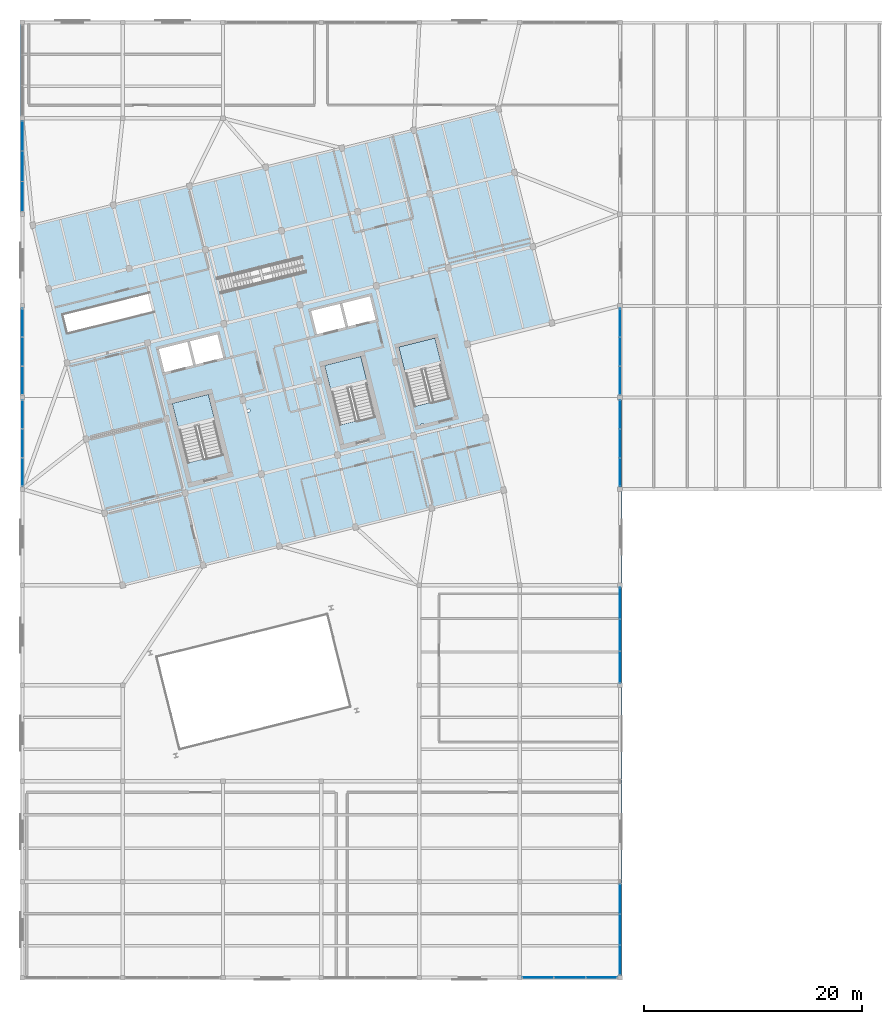
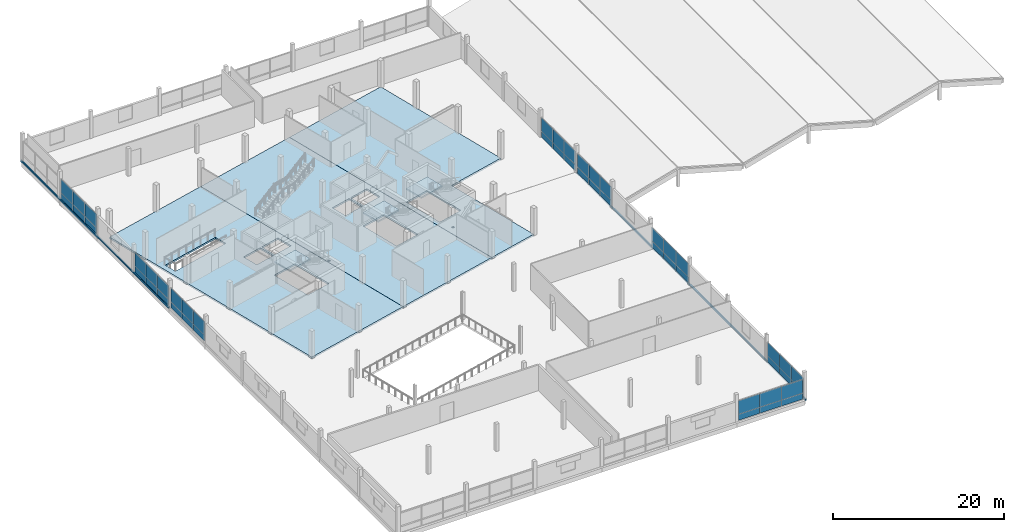
# One storey, part 39 of 47: 48 plates, 8 slabs, 11 elements without a shape of their own.
"""IFC4 building model written with IfcOpenShell, lengths in metres."""

from ifc_helpers import new_model, si_unit, direction, frame, origin, origin_2d, place, context, subcontext, project, spatial, polyline, rectangle, outline, extrude, material, layer, layer_set, type_object, element, aggregate, save


model = new_model("IFC4")

# Units and contexts
model_context = context("Model", 3, precision=1e-05, world=origin(), true_north=direction((0.0, 1.0)))
body_context = subcontext(model_context, "Body", "Model", "MODEL_VIEW")
ifc_project = project(units=[si_unit("LENGTHUNIT", "METRE"), si_unit("AREAUNIT", "SQUARE_METRE"), si_unit("VOLUMEUNIT", "CUBIC_METRE"), si_unit("PLANEANGLEUNIT", "RADIAN"), si_unit("MASSUNIT", "GRAM", prefix="KILO")], contexts=[model_context])

# Site, building, storey
site_placement = place(None, origin())
site = spatial("IfcSite", under=ifc_project, at=site_placement, CompositionType="ELEMENT")
building_placement = place(site_placement, origin())
building = spatial("IfcBuilding", under=site, at=building_placement, Name="Meriwether Solvik Hall", CompositionType="ELEMENT")
storey_placement = place(building_placement, frame((0.0, 0.0, 18.300048828125)))
storey = spatial("IfcBuildingStorey", under=building, at=storey_placement, Name="L04", CompositionType="ELEMENT", Elevation=18.300048828125)

# Curtain wall, plates
ifc_material_1 = material(Name="Thermally Broken Anodised Aluminium 6063-T6 and Low-E Glass", Category="aluminium")
ifc_layer_1 = layer(ifc_material_1, 0.179931640625)
ifc_layer_set_1 = layer_set([ifc_layer_1], Name="Thermally Broken Anodised Aluminium 6063-T6 and Low-E Glass")
curtain_wall_type = type_object("IfcCurtainWallType", Name="CW-UNIT-E", PredefinedType="USERDEFINED", material=ifc_layer_set_1)
curtain_wall_1_placement = place(storey_placement, origin())
curtain_wall_1 = element("IfcCurtainWall", 1, at=curtain_wall_1_placement, inside=storey, type_object=curtain_wall_type, Name="Curtain Wall wing_XA_12_5 (L04)", ObjectType="UNITISED CURTAIN WALL", PredefinedType="USERDEFINED")
ifc_material_2 = material(Name="Low-Emissivity Double-Glazed Laminated Glass", Category="glass")
ifc_layer_2 = layer(ifc_material_2, 0.031982421875)
ifc_layer_set_2 = layer_set([ifc_layer_2], Name="Low-Emissivity Double-Glazed Laminated Glass")
plate_type_1 = type_object("IfcPlateType", Name="PLT-GLZ-225X195", PredefinedType="CURTAIN_PANEL", material=ifc_layer_set_2)
plate_1_placement = place(storey_placement, frame((112.499755859375, 5.199951171875, 0.8564453125), z_axis=(0.0, 0.0, 1.0), x_axis=(-1.0, 0.0, 0.0)))
plate_1 = element("IfcPlate", 2, at=plate_1_placement, type_object=plate_type_1, Name="Low-E Vision Glazing Panel 1", PredefinedType="CURTAIN_PANEL", context=body_context, shape_type="SweptSolid", body=[
    extrude(rectangle(XDim=2.872802734375, YDim=0.033935546875, at=origin_2d()), origin(), (0.0, 0.0, 1.0), 1.9384765625),
])
plate_2_placement = place(storey_placement, frame((109.60009765625, 5.199951171875, 0.8564453125), z_axis=(0.0, 0.0, 1.0), x_axis=(-1.0, 0.0, 0.0)))
plate_2 = element("IfcPlate", 3, at=plate_2_placement, type_object=plate_type_1, Name="Low-E Vision Glazing Panel 2", PredefinedType="CURTAIN_PANEL", context=body_context, shape_type="SweptSolid", body=[
    extrude(rectangle(XDim=2.91064453125, YDim=0.033935546875, at=origin_2d()), origin(), (0.0, 0.0, 1.0), 1.9384765625),
])
plate_3_placement = place(storey_placement, frame((106.700439453125, 5.199951171875, 0.8564453125), z_axis=(0.0, 0.0, 1.0), x_axis=(-1.0, 0.0, 0.0)))
plate_3 = element("IfcPlate", 4, at=plate_3_placement, type_object=plate_type_1, Name="Low-E Vision Glazing Panel 3", PredefinedType="CURTAIN_PANEL", context=body_context, shape_type="SweptSolid", body=[
    extrude(rectangle(XDim=2.872802734375, YDim=0.033935546875, at=origin_2d()), origin(), (0.0, 0.0, 1.0), 1.9384765625),
])

curtain_wall_2_placement = place(storey_placement, origin())
curtain_wall_2 = element("IfcCurtainWall", 5, at=curtain_wall_2_placement, inside=storey, type_object=curtain_wall_type, Name="Curtain Wall wing_Y7_6_17 (L04)", ObjectType="UNITISED CURTAIN WALL", PredefinedType="USERDEFINED")
plate_4_placement = place(storey_placement, frame((59.39990234375, 51.56689453125, 0.8564453125), z_axis=(0.0, 0.0, 1.0), x_axis=(0.0, 1.0, 0.0)))
plate_4 = element("IfcPlate", 6, at=plate_4_placement, type_object=plate_type_1, Name="Low-E Vision Glazing Panel 1", PredefinedType="CURTAIN_PANEL", context=body_context, shape_type="SweptSolid", body=[
    extrude(rectangle(XDim=2.60595703125, YDim=0.033935546875, at=origin_2d()), origin(), (0.0, 0.0, 1.0), 1.9384765625),
])
plate_5_placement = place(storey_placement, frame((59.39990234375, 54.199951171875, 0.8564453125), z_axis=(0.0, 0.0, 1.0), x_axis=(0.0, 1.0, 0.0)))
plate_5 = element("IfcPlate", 7, at=plate_5_placement, type_object=plate_type_1, Name="Low-E Vision Glazing Panel 2", PredefinedType="CURTAIN_PANEL", context=body_context, shape_type="SweptSolid", body=[
    extrude(rectangle(XDim=2.64404296875, YDim=0.033935546875, at=origin_2d()), origin(), (0.0, 0.0, 1.0), 1.9384765625),
])
plate_6_placement = place(storey_placement, frame((59.39990234375, 56.8330078125, 0.8564453125), z_axis=(0.0, 0.0, 1.0), x_axis=(0.0, 1.0, 0.0)))
plate_6 = element("IfcPlate", 8, at=plate_6_placement, type_object=plate_type_1, Name="Low-E Vision Glazing Panel 3", PredefinedType="CURTAIN_PANEL", context=body_context, shape_type="SweptSolid", body=[
    extrude(rectangle(XDim=2.60595703125, YDim=0.033935546875, at=origin_2d()), origin(), (0.0, 0.0, 1.0), 1.9384765625),
])

curtain_wall_3_placement = place(storey_placement, origin())
curtain_wall_3 = element("IfcCurtainWall", 9, at=curtain_wall_3_placement, inside=storey, type_object=curtain_wall_type, Name="Curtain Wall wing_Y7_7_18 (L04)", ObjectType="UNITISED CURTAIN WALL", PredefinedType="USERDEFINED")
plate_7_placement = place(storey_placement, frame((59.39990234375, 59.967041015625, 0.8564453125), z_axis=(0.0, 0.0, 1.0), x_axis=(0.0, 1.0, 0.0)))
plate_7 = element("IfcPlate", 10, at=plate_7_placement, type_object=plate_type_1, Name="Low-E Vision Glazing Panel 1", PredefinedType="CURTAIN_PANEL", context=body_context, shape_type="SweptSolid", body=[
    extrude(rectangle(XDim=2.60595703125, YDim=0.033935546875, at=origin_2d()), origin(), (0.0, 0.0, 1.0), 1.9384765625),
])
plate_8_placement = place(storey_placement, frame((59.39990234375, 62.60009765625, 0.8564453125), z_axis=(0.0, 0.0, 1.0), x_axis=(0.0, 1.0, 0.0)))
plate_8 = element("IfcPlate", 11, at=plate_8_placement, type_object=plate_type_1, Name="Low-E Vision Glazing Panel 2", PredefinedType="CURTAIN_PANEL", context=body_context, shape_type="SweptSolid", body=[
    extrude(rectangle(XDim=2.64404296875, YDim=0.033935546875, at=origin_2d()), origin(), (0.0, 0.0, 1.0), 1.9384765625),
])
plate_9_placement = place(storey_placement, frame((59.39990234375, 65.23291015625, 0.8564453125), z_axis=(0.0, 0.0, 1.0), x_axis=(0.0, 1.0, 0.0)))
plate_9 = element("IfcPlate", 12, at=plate_9_placement, type_object=plate_type_1, Name="Low-E Vision Glazing Panel 3", PredefinedType="CURTAIN_PANEL", context=body_context, shape_type="SweptSolid", body=[
    extrude(rectangle(XDim=2.60595703125, YDim=0.033935546875, at=origin_2d()), origin(), (0.0, 0.0, 1.0), 1.9384765625),
])

curtain_wall_4_placement = place(storey_placement, origin())
curtain_wall_4 = element("IfcCurtainWall", 13, at=curtain_wall_4_placement, inside=storey, type_object=curtain_wall_type, Name="Curtain Wall wing_Y7_9_20 (L04)", ObjectType="UNITISED CURTAIN WALL", PredefinedType="USERDEFINED")
plate_10_placement = place(storey_placement, frame((59.39990234375, 76.833740234375, 0.8564453125), z_axis=(0.0, 0.0, 1.0), x_axis=(0.0, 1.0, 0.0)))
plate_10 = element("IfcPlate", 14, at=plate_10_placement, type_object=plate_type_1, Name="Low-E Vision Glazing Panel 1", PredefinedType="CURTAIN_PANEL", context=body_context, shape_type="SweptSolid", body=[
    extrude(rectangle(XDim=2.7392578125, YDim=0.033935546875, at=origin_2d()), origin(), (0.0, 0.0, 1.0), 1.9384765625),
])
plate_11_placement = place(storey_placement, frame((59.39990234375, 79.60009765625, 0.8564453125), z_axis=(0.0, 0.0, 1.0), x_axis=(0.0, 1.0, 0.0)))
plate_11 = element("IfcPlate", 15, at=plate_11_placement, type_object=plate_type_1, Name="Low-E Vision Glazing Panel 2", PredefinedType="CURTAIN_PANEL", context=body_context, shape_type="SweptSolid", body=[
    extrude(rectangle(XDim=2.77734375, YDim=0.033935546875, at=origin_2d()), origin(), (0.0, 0.0, 1.0), 1.9384765625),
])
plate_12_placement = place(storey_placement, frame((59.39990234375, 82.3662109375, 0.8564453125), z_axis=(0.0, 0.0, 1.0), x_axis=(0.0, 1.0, 0.0)))
plate_12 = element("IfcPlate", 16, at=plate_12_placement, type_object=plate_type_1, Name="Low-E Vision Glazing Panel 3", PredefinedType="CURTAIN_PANEL", context=body_context, shape_type="SweptSolid", body=[
    extrude(rectangle(XDim=2.7392578125, YDim=0.033935546875, at=origin_2d()), origin(), (0.0, 0.0, 1.0), 1.9384765625),
])

curtain_wall_5_placement = place(storey_placement, origin())
curtain_wall_5 = element("IfcCurtainWall", 17, at=curtain_wall_5_placement, inside=storey, type_object=curtain_wall_type, Name="Curtain Wall wing_Y13_1_22 (L04)", ObjectType="UNITISED CURTAIN WALL", PredefinedType="USERDEFINED")
plate_13_placement = place(storey_placement, frame((114.199951171875, 12.39306640625, 0.8564453125), z_axis=(0.0, 0.0, 1.0), x_axis=(0.0, -1.0, 0.0)))
plate_13 = element("IfcPlate", 18, at=plate_13_placement, type_object=plate_type_1, Name="Low-E Vision Glazing Panel 1", PredefinedType="CURTAIN_PANEL", context=body_context, shape_type="SweptSolid", body=[
    extrude(rectangle(XDim=2.75, YDim=0.033935546875, at=origin_2d()), origin(), (0.0, 0.0, 1.0), 1.9384765625),
])
plate_14_placement = place(storey_placement, frame((114.199951171875, 9.615966796875, 0.8564453125), z_axis=(0.0, 0.0, 1.0), x_axis=(0.0, -1.0, 0.0)))
plate_14 = element("IfcPlate", 19, at=plate_14_placement, type_object=plate_type_1, Name="Low-E Vision Glazing Panel 2", PredefinedType="CURTAIN_PANEL", context=body_context, shape_type="SweptSolid", body=[
    extrude(rectangle(XDim=2.7880859375, YDim=0.033935546875, at=origin_2d()), origin(), (0.0, 0.0, 1.0), 1.9384765625),
])
plate_15_placement = place(storey_placement, frame((114.199951171875, 6.839111328125, 0.8564453125), z_axis=(0.0, 0.0, 1.0), x_axis=(0.0, -1.0, 0.0)))
plate_15 = element("IfcPlate", 20, at=plate_15_placement, type_object=plate_type_1, Name="Low-E Vision Glazing Panel 3", PredefinedType="CURTAIN_PANEL", context=body_context, shape_type="SweptSolid", body=[
    extrude(rectangle(XDim=2.75, YDim=0.033935546875, at=origin_2d()), origin(), (0.0, 0.0, 1.0), 1.9384765625),
])

curtain_wall_6_placement = place(storey_placement, origin())
curtain_wall_6 = element("IfcCurtainWall", 21, at=curtain_wall_6_placement, inside=storey, type_object=curtain_wall_type, Name="Curtain Wall wing_Y13_4_25 (L04)", ObjectType="UNITISED CURTAIN WALL", PredefinedType="USERDEFINED")
plate_16_placement = place(storey_placement, frame((114.199951171875, 39.499755859375, 0.8564453125), z_axis=(0.0, 0.0, 1.0), x_axis=(0.0, -1.0, 0.0)))
plate_16 = element("IfcPlate", 22, at=plate_16_placement, type_object=plate_type_1, Name="Low-E Vision Glazing Panel 1", PredefinedType="CURTAIN_PANEL", context=body_context, shape_type="SweptSolid", body=[
    extrude(rectangle(XDim=2.872802734375, YDim=0.033935546875, at=origin_2d()), origin(), (0.0, 0.0, 1.0), 1.9384765625),
])
plate_17_placement = place(storey_placement, frame((114.199951171875, 36.60009765625, 0.8564453125), z_axis=(0.0, 0.0, 1.0), x_axis=(0.0, -1.0, 0.0)))
plate_17 = element("IfcPlate", 23, at=plate_17_placement, type_object=plate_type_1, Name="Low-E Vision Glazing Panel 2", PredefinedType="CURTAIN_PANEL", context=body_context, shape_type="SweptSolid", body=[
    extrude(rectangle(XDim=2.91064453125, YDim=0.033935546875, at=origin_2d()), origin(), (0.0, 0.0, 1.0), 1.9384765625),
])
plate_18_placement = place(storey_placement, frame((114.199951171875, 33.700439453125, 0.8564453125), z_axis=(0.0, 0.0, 1.0), x_axis=(0.0, -1.0, 0.0)))
plate_18 = element("IfcPlate", 24, at=plate_18_placement, type_object=plate_type_1, Name="Low-E Vision Glazing Panel 3", PredefinedType="CURTAIN_PANEL", context=body_context, shape_type="SweptSolid", body=[
    extrude(rectangle(XDim=2.872802734375, YDim=0.033935546875, at=origin_2d()), origin(), (0.0, 0.0, 1.0), 1.9384765625),
])

curtain_wall_7_placement = place(storey_placement, origin())
curtain_wall_7 = element("IfcCurtainWall", 25, at=curtain_wall_7_placement, inside=storey, type_object=curtain_wall_type, Name="Curtain Wall wing_Y13_6_27 (L04)", ObjectType="UNITISED CURTAIN WALL", PredefinedType="USERDEFINED")
plate_19_placement = place(storey_placement, frame((114.199951171875, 56.8330078125, 0.8564453125), z_axis=(0.0, 0.0, 1.0), x_axis=(0.0, -1.0, 0.0)))
plate_19 = element("IfcPlate", 26, at=plate_19_placement, type_object=plate_type_1, Name="Low-E Vision Glazing Panel 1", PredefinedType="CURTAIN_PANEL", context=body_context, shape_type="SweptSolid", body=[
    extrude(rectangle(XDim=2.60595703125, YDim=0.033935546875, at=origin_2d()), origin(), (0.0, 0.0, 1.0), 1.9384765625),
])
plate_20_placement = place(storey_placement, frame((114.199951171875, 54.199951171875, 0.8564453125), z_axis=(0.0, 0.0, 1.0), x_axis=(0.0, -1.0, 0.0)))
plate_20 = element("IfcPlate", 27, at=plate_20_placement, type_object=plate_type_1, Name="Low-E Vision Glazing Panel 2", PredefinedType="CURTAIN_PANEL", context=body_context, shape_type="SweptSolid", body=[
    extrude(rectangle(XDim=2.64404296875, YDim=0.033935546875, at=origin_2d()), origin(), (0.0, 0.0, 1.0), 1.9384765625),
])
plate_21_placement = place(storey_placement, frame((114.199951171875, 51.56689453125, 0.8564453125), z_axis=(0.0, 0.0, 1.0), x_axis=(0.0, -1.0, 0.0)))
plate_21 = element("IfcPlate", 28, at=plate_21_placement, type_object=plate_type_1, Name="Low-E Vision Glazing Panel 3", PredefinedType="CURTAIN_PANEL", context=body_context, shape_type="SweptSolid", body=[
    extrude(rectangle(XDim=2.60595703125, YDim=0.033935546875, at=origin_2d()), origin(), (0.0, 0.0, 1.0), 1.9384765625),
])

curtain_wall_8_placement = place(storey_placement, origin())
curtain_wall_8 = element("IfcCurtainWall", 29, at=curtain_wall_8_placement, inside=storey, type_object=curtain_wall_type, Name="Curtain Wall wing_Y13_7_28 (L04)", ObjectType="UNITISED CURTAIN WALL", PredefinedType="USERDEFINED")
plate_22_placement = place(storey_placement, frame((114.199951171875, 65.23291015625, 0.8564453125), z_axis=(0.0, 0.0, 1.0), x_axis=(0.0, -1.0, 0.0)))
plate_22 = element("IfcPlate", 30, at=plate_22_placement, type_object=plate_type_1, Name="Low-E Vision Glazing Panel 1", PredefinedType="CURTAIN_PANEL", context=body_context, shape_type="SweptSolid", body=[
    extrude(rectangle(XDim=2.60595703125, YDim=0.033935546875, at=origin_2d()), origin(), (0.0, 0.0, 1.0), 1.9384765625),
])
plate_23_placement = place(storey_placement, frame((114.199951171875, 62.60009765625, 0.8564453125), z_axis=(0.0, 0.0, 1.0), x_axis=(0.0, -1.0, 0.0)))
plate_23 = element("IfcPlate", 31, at=plate_23_placement, type_object=plate_type_1, Name="Low-E Vision Glazing Panel 2", PredefinedType="CURTAIN_PANEL", context=body_context, shape_type="SweptSolid", body=[
    extrude(rectangle(XDim=2.64404296875, YDim=0.033935546875, at=origin_2d()), origin(), (0.0, 0.0, 1.0), 1.9384765625),
])
plate_24_placement = place(storey_placement, frame((114.199951171875, 59.967041015625, 0.8564453125), z_axis=(0.0, 0.0, 1.0), x_axis=(0.0, -1.0, 0.0)))
plate_24 = element("IfcPlate", 32, at=plate_24_placement, type_object=plate_type_1, Name="Low-E Vision Glazing Panel 3", PredefinedType="CURTAIN_PANEL", context=body_context, shape_type="SweptSolid", body=[
    extrude(rectangle(XDim=2.60595703125, YDim=0.033935546875, at=origin_2d()), origin(), (0.0, 0.0, 1.0), 1.9384765625),
])

# Plate
ifc_material_3 = material(Name="Mineral-Wool Insulated Anodised Aluminium 6063-T6", Category="aluminium")
ifc_layer_3 = layer(ifc_material_3, 0.044921875)
ifc_layer_set_3 = layer_set([ifc_layer_3], Name="Mineral-Wool Insulated Anodised Aluminium 6063-T6")
plate_type_2 = type_object("IfcPlateType", Name="PLT-SPN-225X085", PredefinedType="CURTAIN_PANEL", material=ifc_layer_set_3)
plate_25_placement = place(storey_placement, frame((112.499755859375, 5.199951171875, 0.0), z_axis=(0.0, 0.0, 1.0), x_axis=(-1.0, 0.0, 0.0)))
plate_25 = element("IfcPlate", 33, at=plate_25_placement, type_object=plate_type_2, Name="Insulated Spandrel Panel 1", PredefinedType="CURTAIN_PANEL", context=body_context, shape_type="SweptSolid", body=[
    extrude(rectangle(XDim=2.872802734375, YDim=0.044921875, at=origin_2d()), origin(), (0.0, 0.0, 1.0), 0.8564453125),
])

plate_26_placement = place(storey_placement, frame((109.60009765625, 5.199951171875, 0.0), z_axis=(0.0, 0.0, 1.0), x_axis=(-1.0, 0.0, 0.0)))
plate_26 = element("IfcPlate", 34, at=plate_26_placement, type_object=plate_type_2, Name="Insulated Spandrel Panel 2", PredefinedType="CURTAIN_PANEL", context=body_context, shape_type="SweptSolid", body=[
    extrude(rectangle(XDim=2.91064453125, YDim=0.044921875, at=origin_2d()), origin(), (0.0, 0.0, 1.0), 0.8564453125),
])

plate_27_placement = place(storey_placement, frame((106.700439453125, 5.199951171875, 0.0), z_axis=(0.0, 0.0, 1.0), x_axis=(-1.0, 0.0, 0.0)))
plate_27 = element("IfcPlate", 35, at=plate_27_placement, type_object=plate_type_2, Name="Insulated Spandrel Panel 3", PredefinedType="CURTAIN_PANEL", context=body_context, shape_type="SweptSolid", body=[
    extrude(rectangle(XDim=2.872802734375, YDim=0.044921875, at=origin_2d()), origin(), (0.0, 0.0, 1.0), 0.8564453125),
])

aggregate(curtain_wall_1, [plate_25, plate_1, plate_26, plate_2, plate_27, plate_3])

plate_28_placement = place(storey_placement, frame((59.39990234375, 51.56689453125, 0.0), z_axis=(0.0, 0.0, 1.0), x_axis=(0.0, 1.0, 0.0)))
plate_28 = element("IfcPlate", 36, at=plate_28_placement, type_object=plate_type_2, Name="Insulated Spandrel Panel 1", PredefinedType="CURTAIN_PANEL", context=body_context, shape_type="SweptSolid", body=[
    extrude(rectangle(XDim=2.60595703125, YDim=0.044921875, at=origin_2d()), origin(), (0.0, 0.0, 1.0), 0.8564453125),
])

plate_29_placement = place(storey_placement, frame((59.39990234375, 54.199951171875, 0.0), z_axis=(0.0, 0.0, 1.0), x_axis=(0.0, 1.0, 0.0)))
plate_29 = element("IfcPlate", 37, at=plate_29_placement, type_object=plate_type_2, Name="Insulated Spandrel Panel 2", PredefinedType="CURTAIN_PANEL", context=body_context, shape_type="SweptSolid", body=[
    extrude(rectangle(XDim=2.64404296875, YDim=0.044921875, at=origin_2d()), origin(), (0.0, 0.0, 1.0), 0.8564453125),
])

plate_30_placement = place(storey_placement, frame((59.39990234375, 56.8330078125, 0.0), z_axis=(0.0, 0.0, 1.0), x_axis=(0.0, 1.0, 0.0)))
plate_30 = element("IfcPlate", 38, at=plate_30_placement, type_object=plate_type_2, Name="Insulated Spandrel Panel 3", PredefinedType="CURTAIN_PANEL", context=body_context, shape_type="SweptSolid", body=[
    extrude(rectangle(XDim=2.60595703125, YDim=0.044921875, at=origin_2d()), origin(), (0.0, 0.0, 1.0), 0.8564453125),
])

aggregate(curtain_wall_2, [plate_28, plate_4, plate_29, plate_5, plate_30, plate_6])

plate_31_placement = place(storey_placement, frame((59.39990234375, 59.967041015625, 0.0), z_axis=(0.0, 0.0, 1.0), x_axis=(0.0, 1.0, 0.0)))
plate_31 = element("IfcPlate", 39, at=plate_31_placement, type_object=plate_type_2, Name="Insulated Spandrel Panel 1", PredefinedType="CURTAIN_PANEL", context=body_context, shape_type="SweptSolid", body=[
    extrude(rectangle(XDim=2.60595703125, YDim=0.044921875, at=origin_2d()), origin(), (0.0, 0.0, 1.0), 0.8564453125),
])

plate_32_placement = place(storey_placement, frame((59.39990234375, 62.60009765625, 0.0), z_axis=(0.0, 0.0, 1.0), x_axis=(0.0, 1.0, 0.0)))
plate_32 = element("IfcPlate", 40, at=plate_32_placement, type_object=plate_type_2, Name="Insulated Spandrel Panel 2", PredefinedType="CURTAIN_PANEL", context=body_context, shape_type="SweptSolid", body=[
    extrude(rectangle(XDim=2.64404296875, YDim=0.044921875, at=origin_2d()), origin(), (0.0, 0.0, 1.0), 0.8564453125),
])

plate_33_placement = place(storey_placement, frame((59.39990234375, 65.23291015625, 0.0), z_axis=(0.0, 0.0, 1.0), x_axis=(0.0, 1.0, 0.0)))
plate_33 = element("IfcPlate", 41, at=plate_33_placement, type_object=plate_type_2, Name="Insulated Spandrel Panel 3", PredefinedType="CURTAIN_PANEL", context=body_context, shape_type="SweptSolid", body=[
    extrude(rectangle(XDim=2.60595703125, YDim=0.044921875, at=origin_2d()), origin(), (0.0, 0.0, 1.0), 0.8564453125),
])

aggregate(curtain_wall_3, [plate_31, plate_7, plate_32, plate_8, plate_33, plate_9])

plate_34_placement = place(storey_placement, frame((59.39990234375, 76.833740234375, 0.0), z_axis=(0.0, 0.0, 1.0), x_axis=(0.0, 1.0, 0.0)))
plate_34 = element("IfcPlate", 42, at=plate_34_placement, type_object=plate_type_2, Name="Insulated Spandrel Panel 1", PredefinedType="CURTAIN_PANEL", context=body_context, shape_type="SweptSolid", body=[
    extrude(rectangle(XDim=2.7392578125, YDim=0.044921875, at=origin_2d()), origin(), (0.0, 0.0, 1.0), 0.8564453125),
])

plate_35_placement = place(storey_placement, frame((59.39990234375, 79.60009765625, 0.0), z_axis=(0.0, 0.0, 1.0), x_axis=(0.0, 1.0, 0.0)))
plate_35 = element("IfcPlate", 43, at=plate_35_placement, type_object=plate_type_2, Name="Insulated Spandrel Panel 2", PredefinedType="CURTAIN_PANEL", context=body_context, shape_type="SweptSolid", body=[
    extrude(rectangle(XDim=2.77734375, YDim=0.044921875, at=origin_2d()), origin(), (0.0, 0.0, 1.0), 0.8564453125),
])

plate_36_placement = place(storey_placement, frame((59.39990234375, 82.3662109375, 0.0), z_axis=(0.0, 0.0, 1.0), x_axis=(0.0, 1.0, 0.0)))
plate_36 = element("IfcPlate", 44, at=plate_36_placement, type_object=plate_type_2, Name="Insulated Spandrel Panel 3", PredefinedType="CURTAIN_PANEL", context=body_context, shape_type="SweptSolid", body=[
    extrude(rectangle(XDim=2.7392578125, YDim=0.044921875, at=origin_2d()), origin(), (0.0, 0.0, 1.0), 0.8564453125),
])

aggregate(curtain_wall_4, [plate_34, plate_10, plate_35, plate_11, plate_36, plate_12])

plate_37_placement = place(storey_placement, frame((114.199951171875, 12.39306640625, 0.0), z_axis=(0.0, 0.0, 1.0), x_axis=(0.0, -1.0, 0.0)))
plate_37 = element("IfcPlate", 45, at=plate_37_placement, type_object=plate_type_2, Name="Insulated Spandrel Panel 1", PredefinedType="CURTAIN_PANEL", context=body_context, shape_type="SweptSolid", body=[
    extrude(rectangle(XDim=2.75, YDim=0.044921875, at=origin_2d()), origin(), (0.0, 0.0, 1.0), 0.8564453125),
])

plate_38_placement = place(storey_placement, frame((114.199951171875, 9.615966796875, 0.0), z_axis=(0.0, 0.0, 1.0), x_axis=(0.0, -1.0, 0.0)))
plate_38 = element("IfcPlate", 46, at=plate_38_placement, type_object=plate_type_2, Name="Insulated Spandrel Panel 2", PredefinedType="CURTAIN_PANEL", context=body_context, shape_type="SweptSolid", body=[
    extrude(rectangle(XDim=2.7880859375, YDim=0.044921875, at=origin_2d()), origin(), (0.0, 0.0, 1.0), 0.8564453125),
])

plate_39_placement = place(storey_placement, frame((114.199951171875, 6.839111328125, 0.0), z_axis=(0.0, 0.0, 1.0), x_axis=(0.0, -1.0, 0.0)))
plate_39 = element("IfcPlate", 47, at=plate_39_placement, type_object=plate_type_2, Name="Insulated Spandrel Panel 3", PredefinedType="CURTAIN_PANEL", context=body_context, shape_type="SweptSolid", body=[
    extrude(rectangle(XDim=2.75, YDim=0.044921875, at=origin_2d()), origin(), (0.0, 0.0, 1.0), 0.8564453125),
])

aggregate(curtain_wall_5, [plate_37, plate_13, plate_38, plate_14, plate_39, plate_15])

plate_40_placement = place(storey_placement, frame((114.199951171875, 39.499755859375, 0.0), z_axis=(0.0, 0.0, 1.0), x_axis=(0.0, -1.0, 0.0)))
plate_40 = element("IfcPlate", 48, at=plate_40_placement, type_object=plate_type_2, Name="Insulated Spandrel Panel 1", PredefinedType="CURTAIN_PANEL", context=body_context, shape_type="SweptSolid", body=[
    extrude(rectangle(XDim=2.872802734375, YDim=0.044921875, at=origin_2d()), origin(), (0.0, 0.0, 1.0), 0.8564453125),
])

plate_41_placement = place(storey_placement, frame((114.199951171875, 36.60009765625, 0.0), z_axis=(0.0, 0.0, 1.0), x_axis=(0.0, -1.0, 0.0)))
plate_41 = element("IfcPlate", 49, at=plate_41_placement, type_object=plate_type_2, Name="Insulated Spandrel Panel 2", PredefinedType="CURTAIN_PANEL", context=body_context, shape_type="SweptSolid", body=[
    extrude(rectangle(XDim=2.91064453125, YDim=0.044921875, at=origin_2d()), origin(), (0.0, 0.0, 1.0), 0.8564453125),
])

plate_42_placement = place(storey_placement, frame((114.199951171875, 33.700439453125, 0.0), z_axis=(0.0, 0.0, 1.0), x_axis=(0.0, -1.0, 0.0)))
plate_42 = element("IfcPlate", 50, at=plate_42_placement, type_object=plate_type_2, Name="Insulated Spandrel Panel 3", PredefinedType="CURTAIN_PANEL", context=body_context, shape_type="SweptSolid", body=[
    extrude(rectangle(XDim=2.872802734375, YDim=0.044921875, at=origin_2d()), origin(), (0.0, 0.0, 1.0), 0.8564453125),
])

aggregate(curtain_wall_6, [plate_40, plate_16, plate_41, plate_17, plate_42, plate_18])

plate_43_placement = place(storey_placement, frame((114.199951171875, 56.8330078125, 0.0), z_axis=(0.0, 0.0, 1.0), x_axis=(0.0, -1.0, 0.0)))
plate_43 = element("IfcPlate", 51, at=plate_43_placement, type_object=plate_type_2, Name="Insulated Spandrel Panel 1", PredefinedType="CURTAIN_PANEL", context=body_context, shape_type="SweptSolid", body=[
    extrude(rectangle(XDim=2.60595703125, YDim=0.044921875, at=origin_2d()), origin(), (0.0, 0.0, 1.0), 0.8564453125),
])

plate_44_placement = place(storey_placement, frame((114.199951171875, 54.199951171875, 0.0), z_axis=(0.0, 0.0, 1.0), x_axis=(0.0, -1.0, 0.0)))
plate_44 = element("IfcPlate", 52, at=plate_44_placement, type_object=plate_type_2, Name="Insulated Spandrel Panel 2", PredefinedType="CURTAIN_PANEL", context=body_context, shape_type="SweptSolid", body=[
    extrude(rectangle(XDim=2.64404296875, YDim=0.044921875, at=origin_2d()), origin(), (0.0, 0.0, 1.0), 0.8564453125),
])

plate_45_placement = place(storey_placement, frame((114.199951171875, 51.56689453125, 0.0), z_axis=(0.0, 0.0, 1.0), x_axis=(0.0, -1.0, 0.0)))
plate_45 = element("IfcPlate", 53, at=plate_45_placement, type_object=plate_type_2, Name="Insulated Spandrel Panel 3", PredefinedType="CURTAIN_PANEL", context=body_context, shape_type="SweptSolid", body=[
    extrude(rectangle(XDim=2.60595703125, YDim=0.044921875, at=origin_2d()), origin(), (0.0, 0.0, 1.0), 0.8564453125),
])

aggregate(curtain_wall_7, [plate_43, plate_19, plate_44, plate_20, plate_45, plate_21])

plate_46_placement = place(storey_placement, frame((114.199951171875, 65.23291015625, 0.0), z_axis=(0.0, 0.0, 1.0), x_axis=(0.0, -1.0, 0.0)))
plate_46 = element("IfcPlate", 54, at=plate_46_placement, type_object=plate_type_2, Name="Insulated Spandrel Panel 1", PredefinedType="CURTAIN_PANEL", context=body_context, shape_type="SweptSolid", body=[
    extrude(rectangle(XDim=2.60595703125, YDim=0.044921875, at=origin_2d()), origin(), (0.0, 0.0, 1.0), 0.8564453125),
])

plate_47_placement = place(storey_placement, frame((114.199951171875, 62.60009765625, 0.0), z_axis=(0.0, 0.0, 1.0), x_axis=(0.0, -1.0, 0.0)))
plate_47 = element("IfcPlate", 55, at=plate_47_placement, type_object=plate_type_2, Name="Insulated Spandrel Panel 2", PredefinedType="CURTAIN_PANEL", context=body_context, shape_type="SweptSolid", body=[
    extrude(rectangle(XDim=2.64404296875, YDim=0.044921875, at=origin_2d()), origin(), (0.0, 0.0, 1.0), 0.8564453125),
])

plate_48_placement = place(storey_placement, frame((114.199951171875, 59.967041015625, 0.0), z_axis=(0.0, 0.0, 1.0), x_axis=(0.0, -1.0, 0.0)))
plate_48 = element("IfcPlate", 56, at=plate_48_placement, type_object=plate_type_2, Name="Insulated Spandrel Panel 3", PredefinedType="CURTAIN_PANEL", context=body_context, shape_type="SweptSolid", body=[
    extrude(rectangle(XDim=2.60595703125, YDim=0.044921875, at=origin_2d()), origin(), (0.0, 0.0, 1.0), 0.8564453125),
])

aggregate(curtain_wall_8, [plate_46, plate_22, plate_47, plate_23, plate_48, plate_24])

# Slabs
ifc_material_4 = material(Name="Cross-Laminated Timber PRG 320 E1", Category="wood")
ifc_layer_4 = layer(ifc_material_4, 0.2451171875)
ifc_layer_set_4 = layer_set([ifc_layer_4], Name="Cross-Laminated Timber PRG 320 E1")
slab_type_1 = type_object("IfcSlabType", Name="SLB-CLT-245", PredefinedType="FLOOR", material=ifc_layer_set_4)
slab_1_placement = place(storey_placement, frame((0.0, 0.0, -0.2451171875)))
element("IfcSlab", 57, at=slab_1_placement, inside=storey, type_object=slab_type_1, Name="L04 Structural Slab Zone 2", PredefinedType="FLOOR", context=body_context, shape_type="SweptSolid", body=[
    extrude(outline(polyline([(59.239990234375, 58.403076171875), (59.239990234375, 92.9599609375), (59.39697265625, 92.9599609375), (59.39697265625, 58.403076171875), (59.239990234375, 58.403076171875)])), origin(), (0.0, 0.0, 1.0), 0.2451171875),
])
slab_2_placement = place(storey_placement, frame((0.0, 0.0, -0.2451171875)))
element("IfcSlab", 58, at=slab_2_placement, inside=storey, type_object=slab_type_1, Name="L04 Structural Slab Zone 5", PredefinedType="FLOOR", context=body_context, shape_type="SweptSolid", body=[
    extrude(outline(polyline([(114.360107421875, 58.39697265625), (114.360107421875, 5.0400390625), (114.202880859375, 5.0400390625), (114.202880859375, 58.39697265625), (114.360107421875, 58.39697265625)])), origin(), (0.0, 0.0, 1.0), 0.2451171875),
])
slab_3_placement = place(storey_placement, frame((0.0, 0.0, -0.2451171875)))
element("IfcSlab", 59, at=slab_3_placement, inside=storey, type_object=slab_type_1, Name="L04 Mass-Timber CLT Floor W", PredefinedType="FLOOR", context=body_context, shape_type="SweptSolid", body=[
    extrude(outline(polyline([(74.732177734375, 77.769775390625), (82.95751953125, 44.77978515625), (68.60009765625, 41.199951171875), (60.374755859375, 74.18994140625), (74.732177734375, 77.769775390625)]), holes=[polyline([(73.157958984375, 57.84716796875), (74.5205078125, 52.382568359375), (77.819580078125, 53.205078125), (76.45703125, 58.669677734375), (73.157958984375, 57.84716796875)]), polyline([(74.531982421875, 63.497314453125), (71.912109375, 62.84423828125), (72.4443359375, 60.70947265625), (75.064208984375, 61.36279296875), (74.531982421875, 63.497314453125)]), polyline([(77.29736328125, 64.186767578125), (74.774658203125, 63.557861328125), (75.306884765625, 61.42333984375), (77.82958984375, 62.05224609375), (77.29736328125, 64.186767578125)]), polyline([(63.145263671875, 65.97119140625), (63.55908203125, 64.31201171875), (71.459228515625, 66.28173828125), (71.04541015625, 67.94091796875), (63.145263671875, 65.97119140625)])]), origin(), (0.0, 0.0, 1.0), 0.2451171875),
])
slab_4_placement = place(storey_placement, frame((0.0, 0.0, -0.2451171875)))
element("IfcSlab", 60, at=slab_4_placement, inside=storey, type_object=slab_type_1, Name="L04 Mass-Timber CLT Floor C", PredefinedType="FLOOR", context=body_context, shape_type="SweptSolid", body=[
    extrude(outline(polyline([(88.704345703125, 81.25341796875), (96.9296875, 48.263427734375), (82.96337890625, 44.78125), (74.738037109375, 77.771240234375), (88.704345703125, 81.25341796875)]), holes=[polyline([(79.997314453125, 57.284912109375), (80.0576171875, 57.04248046875), (80.30029296875, 57.10302734375), (80.23974609375, 57.345458984375), (79.997314453125, 57.284912109375)]), polyline([(90.429443359375, 62.1533203125), (87.13037109375, 61.330810546875), (88.492919921875, 55.8662109375), (91.791748046875, 56.688720703125), (90.429443359375, 62.1533203125)]), polyline([(88.504150390625, 66.981201171875), (85.884521484375, 66.327880859375), (86.416748046875, 64.193359375), (89.036376953125, 64.846435546875), (88.504150390625, 66.981201171875)]), polyline([(91.26953125, 67.670654296875), (88.746826171875, 67.04150390625), (89.279052734375, 64.906982421875), (91.8017578125, 65.535888671875), (91.26953125, 67.670654296875)])]), origin(), (0.0, 0.0, 1.0), 0.2451171875),
])
slab_5_placement = place(storey_placement, frame((0.0, 0.0, -0.2451171875)))
element("IfcSlab", 61, at=slab_5_placement, inside=storey, type_object=slab_type_1, Name="L04 Mass-Timber CLT Floor E", PredefinedType="FLOOR", context=body_context, shape_type="SweptSolid", body=[
    extrude(outline(polyline([(103.067626953125, 84.834716796875), (107.95458984375, 65.234619140625), (100.192138671875, 63.29931640625), (103.53076171875, 49.9091796875), (96.935546875, 48.264892578125), (88.710205078125, 81.2548828125), (103.067626953125, 84.834716796875)]), holes=[polyline([(96.185791015625, 56.013671875), (95.943115234375, 55.953125), (96.003662109375, 55.71044921875), (96.24609375, 55.77099609375), (96.185791015625, 56.013671875)]), polyline([(93.92236328125, 63.0244140625), (95.284912109375, 57.5595703125), (98.583984375, 58.382080078125), (97.221435546875, 63.846923828125), (93.92236328125, 63.0244140625)])]), origin(), (0.0, 0.0, 1.0), 0.2451171875),
])

# Stair, slab
ifc_material_5 = material(Name="Concrete C40/50", Category="concrete")
stair_type = type_object("IfcStairType", Name="STR-CORE-DOGLEG-A", PredefinedType="TWO_STRAIGHT_RUN_STAIR", material=ifc_material_5)
stair_1_placement = place(storey_placement, origin())
stair_1 = element("IfcStair", 62, at=stair_1_placement, inside=storey, type_object=stair_type, Name="Exit Stair ST-01 (L04)", PredefinedType="TWO_STRAIGHT_RUN_STAIR")
ifc_material_6 = material(Name="Concrete C40/50", Category="concrete")
ifc_layer_5 = layer(ifc_material_6, 0.199951171875)
ifc_layer_set_5 = layer_set([ifc_layer_5], Name="Concrete C40/50")
slab_type_2 = type_object("IfcSlabType", Name="SLB-LND-200", PredefinedType="LANDING", material=ifc_layer_set_5)
slab_6_placement = place(storey_placement, frame((0.0, 0.0, 1.75)))
slab_6 = element("IfcSlab", 63, at=slab_6_placement, type_object=slab_type_2, Name="Stair ST-01 Half Landing (L04)", PredefinedType="LANDING", context=body_context, shape_type="SweptSolid", body=[
    extrude(outline(polyline([(73.76611328125, 55.38818359375), (77.07470703125, 56.213134765625), (76.460693359375, 58.67578125), (73.152099609375, 57.850830078125), (73.76611328125, 55.38818359375)])), origin(), (0.0, 0.0, 1.0), 0.199951171875),
])
aggregate(stair_1, [slab_6])

stair_2_placement = place(storey_placement, origin())
stair_2 = element("IfcStair", 64, at=stair_2_placement, inside=storey, type_object=stair_type, Name="Exit Stair ST-02 (L04)", PredefinedType="TWO_STRAIGHT_RUN_STAIR")
slab_7_placement = place(storey_placement, frame((0.0, 0.0, 1.75)))
slab_7 = element("IfcSlab", 65, at=slab_7_placement, type_object=slab_type_2, Name="Stair ST-02 Half Landing (L04)", PredefinedType="LANDING", context=body_context, shape_type="SweptSolid", body=[
    extrude(outline(polyline([(87.73828125, 58.871826171875), (91.046875, 59.69677734375), (90.432861328125, 62.159423828125), (87.124267578125, 61.33447265625), (87.73828125, 58.871826171875)])), origin(), (0.0, 0.0, 1.0), 0.199951171875),
])
aggregate(stair_2, [slab_7])

stair_3_placement = place(storey_placement, origin())
stair_3 = element("IfcStair", 66, at=stair_3_placement, inside=storey, type_object=stair_type, Name="Exit Stair ST-03 (L04)", PredefinedType="TWO_STRAIGHT_RUN_STAIR")
slab_8_placement = place(storey_placement, frame((0.0, 0.0, 1.75)))
slab_8 = element("IfcSlab", 67, at=slab_8_placement, type_object=slab_type_2, Name="Stair ST-03 Half Landing (L04)", PredefinedType="LANDING", context=body_context, shape_type="SweptSolid", body=[
    extrude(outline(polyline([(94.5302734375, 60.5654296875), (97.839111328125, 61.390380859375), (97.22509765625, 63.85302734375), (93.916259765625, 63.028076171875), (94.5302734375, 60.5654296875)])), origin(), (0.0, 0.0, 1.0), 0.199951171875),
])
aggregate(stair_3, [slab_8])

save(model, "model.ifc")
